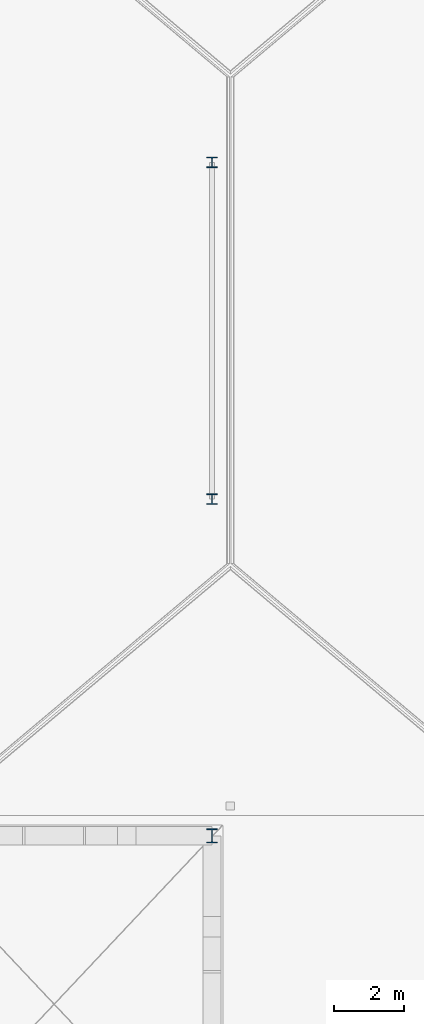
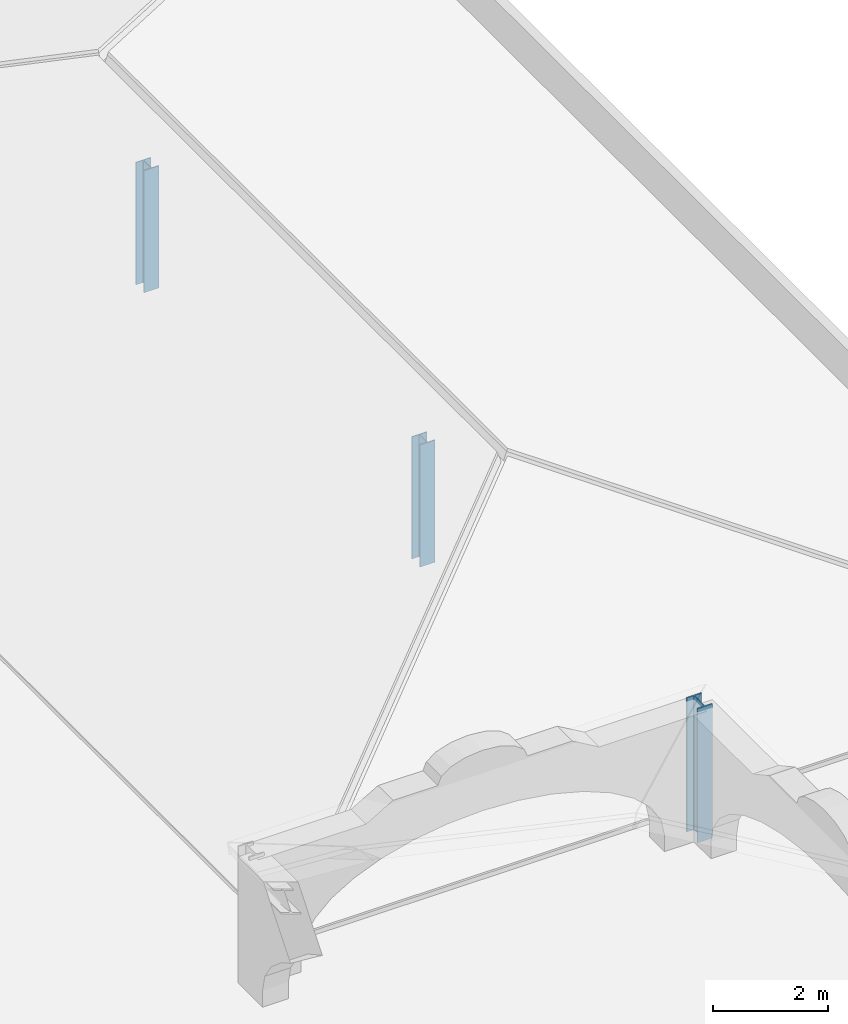
# One storey, part 3 of 16: 3 columns.
"""IFC4 building model written with IfcOpenShell, lengths in metres."""

from ifc_helpers import new_model, si_unit, direction, frame, origin, origin_2d, place, context, subcontext, project, spatial, i_section, extrude, material, material_profile, profile_set, type_object, element, save


model = new_model("IFC4")

# Units and contexts
model_context = context("Model", 3, precision=1e-05, world=origin(), true_north=direction((0.0, 1.0)))
body_context = subcontext(model_context, "Body", "Model", "MODEL_VIEW")
ifc_project = project(units=[si_unit("LENGTHUNIT", "METRE"), si_unit("AREAUNIT", "SQUARE_METRE"), si_unit("VOLUMEUNIT", "CUBIC_METRE"), si_unit("PLANEANGLEUNIT", "RADIAN"), si_unit("MASSUNIT", "GRAM", prefix="KILO")], contexts=[model_context])

# Site, building, storey
site_placement = place(None, origin())
site = spatial("IfcSite", under=ifc_project, at=site_placement, CompositionType="ELEMENT")
building_placement = place(site_placement, origin())
building = spatial("IfcBuilding", under=site, at=building_placement, Name="Myrtia Square Station", CompositionType="ELEMENT")
storey_placement = place(building_placement, frame((0.0, 0.0, 22.800048828125)))
storey = spatial("IfcBuildingStorey", under=building, at=storey_placement, Name="RF", CompositionType="ELEMENT", Elevation=22.800048828125)

# Columns
ifc_material = material(Name="Steel S355", Category="steel")
ifc_material_profile_1 = material_profile(ifc_material, i_section(OverallWidth=0.300048828125, OverallDepth=0.300048828125, WebThickness=0.010986328125, FlangeThickness=0.01904296875, FilletRadius=0.027099609375, at=origin_2d()), Name="HEB 300")
ifc_profile_set_1 = profile_set([ifc_material_profile_1], Name="Steel S355")
column_type_1 = type_object("IfcColumnType", Name="COL-HEB300", PredefinedType="COLUMN", material=ifc_profile_set_1)
for number, where, z_axis, x_axis, name in (
    (1, (180.0, 105.60009765625, 0.0048828125), (0.0, 0.0, 1.0), (1.0, 0.0, 0.0), "Hipped roof stack post HIP-V5NE-5"),
    (2, (180.0, 115.199951171875, 0.0048828125), (0.0, 0.0, 1.0), (1.0, 0.0, 0.0), "Hipped roof stack post HIP-V5NE-6"),
):
    element("IfcColumn", number, at=place(storey_placement, frame(where, z_axis=z_axis, x_axis=x_axis)), inside=storey, type_object=column_type_1, Name=name, PredefinedType="COLUMN", context=body_context, shape_type="SweptSolid", body=[
        extrude(i_section(OverallWidth=0.300048828125, OverallDepth=0.300048828125, WebThickness=0.010986328125, FlangeThickness=0.01904296875, FilletRadius=0.027099609375, at=origin_2d()), origin(), (0.0, 0.0, 1.0), 2.594970703125),
    ])
ifc_material_profile_2 = material_profile(ifc_material, i_section(OverallWidth=0.300048828125, OverallDepth=0.39990234375, WebThickness=0.013427734375, FlangeThickness=0.02392578125, FilletRadius=0.027099609375, at=origin_2d()), Name="HEB 400")
ifc_profile_set_2 = profile_set([ifc_material_profile_2], Name="Steel S355")
column_type_2 = type_object("IfcColumnType", Name="COL-HEB400", PredefinedType="COLUMN", material=ifc_profile_set_2)
column_placement = place(storey_placement, frame((180.0, 96.0, 0.0048828125), z_axis=(0.0, 0.0, 1.0), x_axis=(1.0, 0.0, 0.0)))
element("IfcColumn", 3, at=column_placement, inside=storey, type_object=column_type_2, Name="Station clock tower belfry column 4", PredefinedType="COLUMN", context=body_context, shape_type="SweptSolid", body=[
    extrude(i_section(OverallWidth=0.300048828125, OverallDepth=0.39990234375, WebThickness=0.013427734375, FlangeThickness=0.02392578125, FilletRadius=0.027099609375, at=origin_2d()), origin(), (0.0, 0.0, 1.0), 2.844970703125),
])

save(model, "model.ifc")
